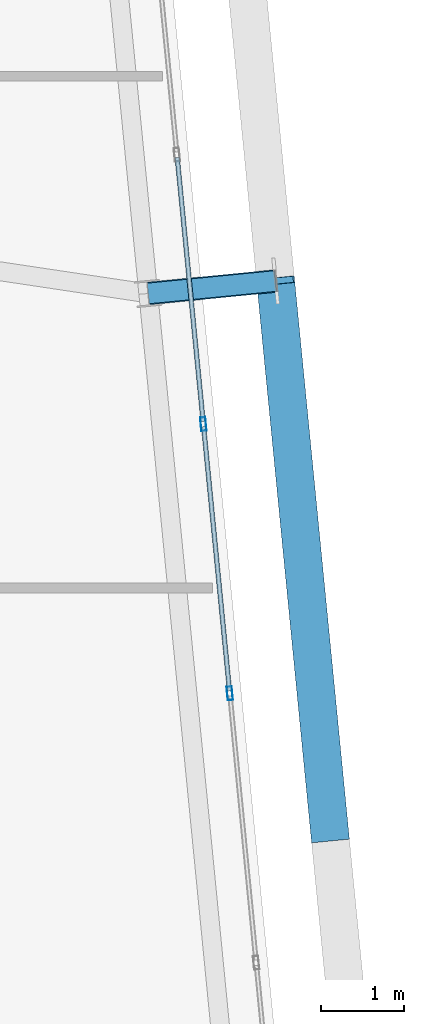
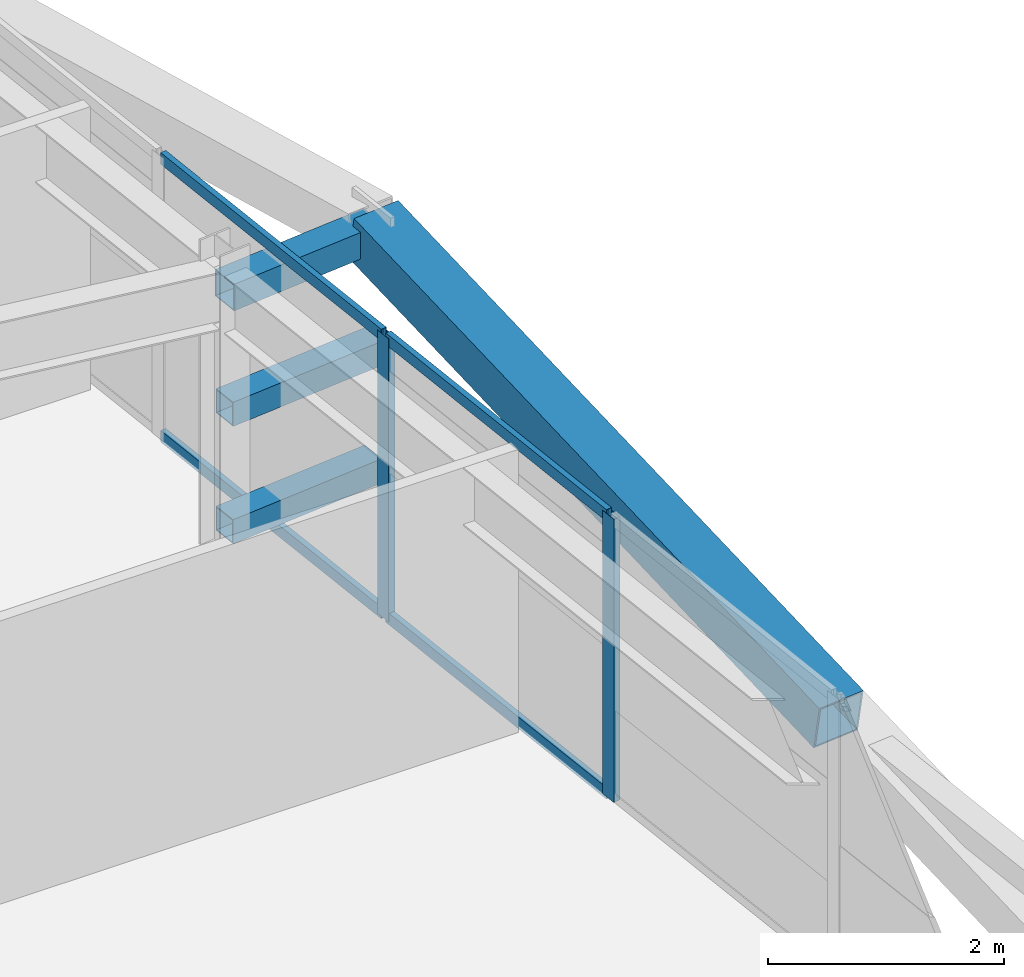
# One storey, part 24 of 52: 10 members, 1 element without a shape of its own.
"""IFC4 building model written with IfcOpenShell, lengths in metres."""

from ifc_helpers import new_model, si_unit, direction, frame, origin, origin_2d, place, context, subcontext, project, spatial, hollow_rectangle, extrude, source, transform, mapped, material, layer, layer_set, material_profile, profile_set, type_object, element, aggregate, save


model = new_model("IFC4")

# Units and contexts
model_context = context("Model", 3, precision=1e-05, world=origin(), true_north=direction((0.0, 1.0)))
body_context = subcontext(model_context, "Body", "Model", "MODEL_VIEW")
ifc_project = project(units=[si_unit("LENGTHUNIT", "METRE"), si_unit("AREAUNIT", "SQUARE_METRE"), si_unit("VOLUMEUNIT", "CUBIC_METRE"), si_unit("PLANEANGLEUNIT", "RADIAN"), si_unit("MASSUNIT", "GRAM", prefix="KILO")], contexts=[model_context])

# Site, building, storey
site_placement = place(None, origin())
site = spatial("IfcSite", under=ifc_project, at=site_placement, CompositionType="ELEMENT")
building_placement = place(site_placement, origin())
building = spatial("IfcBuilding", under=site, at=building_placement, Name="Taldren Reach Tower", CompositionType="ELEMENT")
storey_placement = place(building_placement, frame((0.0, 0.0, 74.550048828125)))
storey = spatial("IfcBuildingStorey", under=building, at=storey_placement, Name="L22", CompositionType="ELEMENT", Elevation=74.550048828125)

# Members
ifc_material_1 = material(Name="Steel Gr 450 (C450L0)", Category="steel")
ifc_material_profile_1 = material_profile(ifc_material_1, hollow_rectangle(XDim=0.27490234375, YDim=0.27490234375, WallThickness=0.00927734375, at=origin_2d()), Name="275x275x9.3SHS")
ifc_profile_set_1 = profile_set([ifc_material_profile_1], Name="Steel Gr 450 (C450L0)")
member_type_1 = type_object("IfcMemberType", Name="MB-TIE273", PredefinedType="STRUT", material=ifc_profile_set_1)
shared_shape_1 = source(origin(), body_context, "Body", "SweptSolid", [
    extrude(hollow_rectangle(XDim=0.27490234375, YDim=0.27490234375, WallThickness=0.00927734375, at=origin_2d()), origin(), (0.0, 0.0, 1.0), 1.5498046875),
])
member_1_placement = place(storey_placement, frame((64.569580078125, 21.968994140625, 2.64990234375), z_axis=(0.995234821595, 0.097507178627, 0.0), x_axis=(-0.097507178627, 0.995234821595, 0.0)))
element("IfcMember", 1, at=member_1_placement, inside=storey, type_object=member_type_1, Name="Exoskeleton diaphragm tie strut B2-E2 L22", PredefinedType="STRUT", context=body_context, shape_type="MappedRepresentation", body=[
    mapped(shared_shape_1, transform((0.0, 0.0, 0.0), scale=1.0)),
])
ifc_material_2 = material(Name="Steel Gr 350 (C350L0)", Category="steel")
ifc_material_profile_2 = material_profile(ifc_material_2, hollow_rectangle(XDim=0.25, YDim=0.25, WallThickness=0.010009765625, at=origin_2d()), Name="250x250x10.0SHS")
ifc_profile_set_2 = profile_set([ifc_material_profile_2], Name="Steel Gr 350 (C350L0)")
member_type_2 = type_object("IfcMemberType", Name="MB-POST250", PredefinedType="POST", material=ifc_profile_set_2)
shared_shape_2 = source(origin(), body_context, "Body", "SweptSolid", [
    extrude(hollow_rectangle(XDim=0.25, YDim=0.25, WallThickness=0.010009765625, at=origin_2d()), origin(), (0.0, 0.0, 1.0), 1.5498046875),
])
for number, where, z_axis, x_axis, name in (
    (2, (64.569580078125, 21.968994140625, 0.219970703125), (0.995234821595, 0.097507178627, 0.0), (-0.097507178627, 0.995234821595, 0.0), "Exoskeleton base diaphragm tie strut B2-E2 L22"),
    (3, (64.569580078125, 21.968994140625, 1.43505859375), (0.995234821595, 0.097507178627, 0.0), (-0.097507178627, 0.995234821595, 0.0), "Exoskeleton mid-tier diaphragm tie B2-E2 L22"),
):
    element("IfcMember", number, at=place(storey_placement, frame(where, z_axis=z_axis, x_axis=x_axis)), inside=storey, type_object=member_type_2, Name=name, PredefinedType="POST", context=body_context, shape_type="MappedRepresentation", body=[
        mapped(shared_shape_2, transform((0.0, 0.0, 0.0), scale=1.0)),
    ])
ifc_material_profile_3 = material_profile(ifc_material_1, hollow_rectangle(XDim=0.4599609375, YDim=0.4599609375, WallThickness=0.01611328125, at=origin_2d()), Name="460x460x16.0SHS")
ifc_profile_set_3 = profile_set([ifc_material_profile_3], Name="Steel Gr 450 (C450L0)")
member_type_3 = type_object("IfcMemberType", Name="MB-EXO457", PredefinedType="BRACE", material=ifc_profile_set_3)
shared_shape_3 = source(origin(), body_context, "Body", "SweptSolid", [
    extrude(hollow_rectangle(XDim=0.4599609375, YDim=0.4599609375, WallThickness=0.01611328125, at=origin_2d()), origin(), (0.0, 0.0, 1.0), 6.883056640625),
])
member_2_placement = place(storey_placement, frame((66.773193359375, 15.37744140625, 1.43505859375), z_axis=(-0.096052059581, 0.979603316657, 0.176497432967), x_axis=(-0.995227290009, -0.097584021339, 0.0)))
element("IfcMember", 4, at=member_2_placement, inside=storey, type_object=member_type_3, Name="Exoskeleton Diagrid Brace B2-E1 L22", PredefinedType="BRACE", context=body_context, shape_type="MappedRepresentation", body=[
    mapped(shared_shape_3, transform((0.0, 0.0, 0.0), scale=1.0)),
])

# Curtain wall, members
ifc_material_3 = material(Name="Aluminium and Low-E Glass Unitised System", Category="aluminium")
ifc_layer = layer(ifc_material_3, 0.159912109375)
ifc_layer_set = layer_set([ifc_layer], Name="Aluminium and Low-E Glass Unitised System")
curtain_wall_type = type_object("IfcCurtainWallType", Name="CW-SYS-3", PredefinedType="NOTDEFINED", material=ifc_layer_set)
curtain_wall_placement = place(storey_placement, origin())
curtain_wall = element("IfcCurtainWall", 5, at=curtain_wall_placement, inside=storey, type_object=curtain_wall_type, Name="Unitised curtain wall CW-L22-E", PredefinedType="NOTDEFINED")
ifc_material_4 = material(Name="Anodised Aluminium 6063-T6", Category="aluminium")
ifc_material_profile_4 = material_profile(ifc_material_4, hollow_rectangle(XDim=0.06494140625, YDim=0.1650390625, WallThickness=0.00390625, at=origin_2d()), Name="ALU-165x65x4RHS")
ifc_profile_set_4 = profile_set([ifc_material_profile_4], Name="Anodised Aluminium 6063-T6")
member_type_4 = type_object("IfcMemberType", Name="CW-MUL-165", PredefinedType="MULLION", material=ifc_profile_set_4)
shared_shape_4 = source(origin(), body_context, "Body", "SweptSolid", [
    extrude(hollow_rectangle(XDim=0.06494140625, YDim=0.1650390625, WallThickness=0.00390625, at=origin_2d()), origin(), (0.0, 0.0, 1.0), 2.929931640625),
])
member_3_placement = place(storey_placement, frame((65.556884765625, 17.12548828125, 0.0), z_axis=(0.0, 0.0, 1.0), x_axis=(-0.99522741555, -0.09758274098, 0.0)))
member_3 = element("IfcMember", 6, at=member_3_placement, type_object=member_type_4, Name="CW-3 mullion 4", PredefinedType="MULLION", context=body_context, shape_type="MappedRepresentation", body=[
    mapped(shared_shape_4, transform((0.0, 0.0, 0.0), scale=1.0)),
])
member_4_placement = place(storey_placement, frame((65.237060546875, 20.3876953125, 0.0), z_axis=(0.0, 0.0, 1.0), x_axis=(-0.99522741555, -0.09758274098, 0.0)))
member_4 = element("IfcMember", 7, at=member_4_placement, type_object=member_type_4, Name="CW-3 mullion 5", PredefinedType="MULLION", context=body_context, shape_type="MappedRepresentation", body=[
    mapped(shared_shape_4, transform((0.0, 0.0, 0.0), scale=1.0)),
])
ifc_material_profile_5 = material_profile(ifc_material_4, hollow_rectangle(XDim=0.054931640625, YDim=0.1201171875, WallThickness=0.0029296875, at=origin_2d()), Name="ALU-120x55x3RHS")
ifc_profile_set_5 = profile_set([ifc_material_profile_5], Name="Anodised Aluminium 6063-T6")
member_type_5 = type_object("IfcMemberType", Name="CW-TRN-135", PredefinedType="USERDEFINED", material=ifc_profile_set_5)
shared_shape_5 = source(origin(), body_context, "Body", "SweptSolid", [
    extrude(hollow_rectangle(XDim=0.054931640625, YDim=0.1201171875, WallThickness=0.0029296875, at=origin_2d()), origin(), (0.0, 0.0, 1.0), 3.212890625),
])
member_5_placement = place(storey_placement, frame((65.5537109375, 17.15771484375, 0.02734375), z_axis=(-0.097569948235, 0.995228669805, 0.0), x_axis=(-0.995228669805, -0.097569948235, 0.0)))
member_5 = element("IfcMember", 8, at=member_5_placement, type_object=member_type_5, Name="CW-3 transom 4.1", ObjectType="TRANSOM", PredefinedType="USERDEFINED", context=body_context, shape_type="MappedRepresentation", body=[
    mapped(shared_shape_5, transform((0.0, 0.0, 0.0), scale=1.0)),
])
member_6_placement = place(storey_placement, frame((65.5537109375, 17.15771484375, 2.90234375), z_axis=(-0.097569948235, 0.995228669805, 0.0), x_axis=(-0.995228669805, -0.097569948235, 0.0)))
member_6 = element("IfcMember", 9, at=member_6_placement, type_object=member_type_5, Name="CW-3 transom 4.2", ObjectType="TRANSOM", PredefinedType="USERDEFINED", context=body_context, shape_type="MappedRepresentation", body=[
    mapped(shared_shape_5, transform((0.0, 0.0, 0.0), scale=1.0)),
])
member_7_placement = place(storey_placement, frame((65.23388671875, 20.419921875, 0.02734375), z_axis=(-0.097645213046, 0.995221288141, 0.0), x_axis=(-0.995221288141, -0.097645213046, 0.0)))
member_7 = element("IfcMember", 10, at=member_7_placement, type_object=member_type_5, Name="CW-3 transom 5.1", ObjectType="TRANSOM", PredefinedType="USERDEFINED", context=body_context, shape_type="MappedRepresentation", body=[
    mapped(shared_shape_5, transform((0.0, 0.0, 0.0), scale=1.0)),
])
member_8_placement = place(storey_placement, frame((65.23388671875, 20.419921875, 2.90234375), z_axis=(-0.097645213046, 0.995221288141, 0.0), x_axis=(-0.995221288141, -0.097645213046, 0.0)))
member_8 = element("IfcMember", 11, at=member_8_placement, type_object=member_type_5, Name="CW-3 transom 5.2", ObjectType="TRANSOM", PredefinedType="USERDEFINED", context=body_context, shape_type="MappedRepresentation", body=[
    mapped(shared_shape_5, transform((0.0, 0.0, 0.0), scale=1.0)),
])
aggregate(curtain_wall, [member_3, member_4, member_5, member_6, member_7, member_8])

save(model, "model.ifc")
